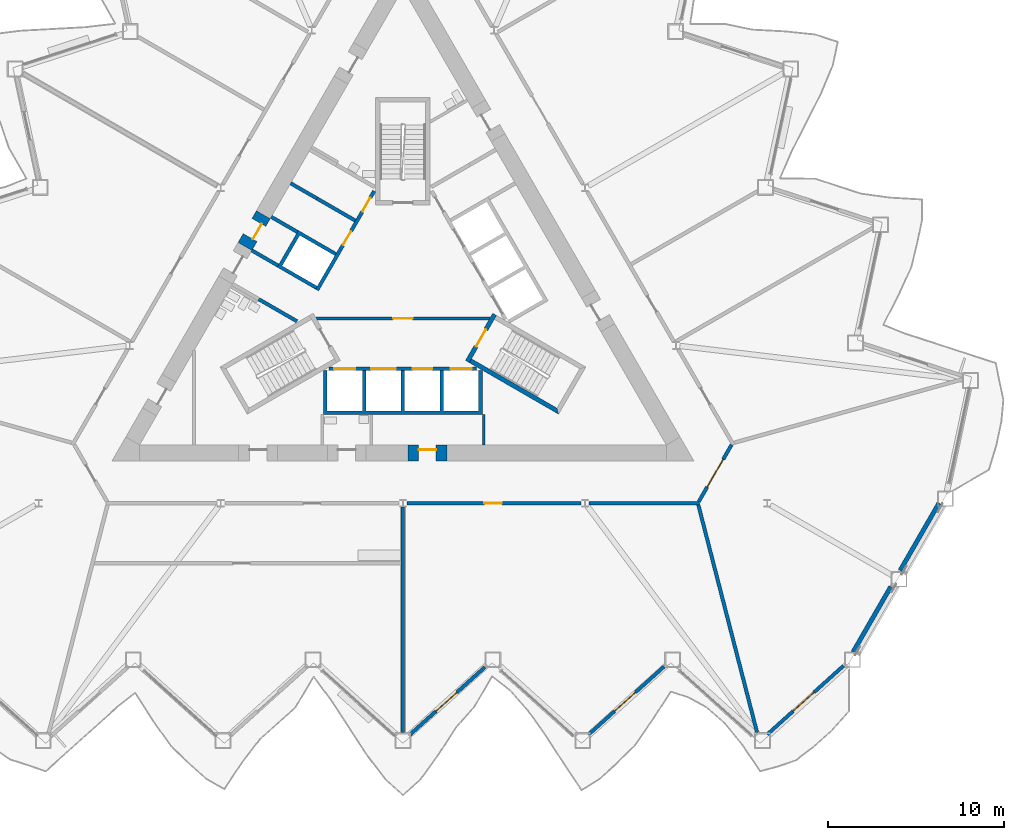
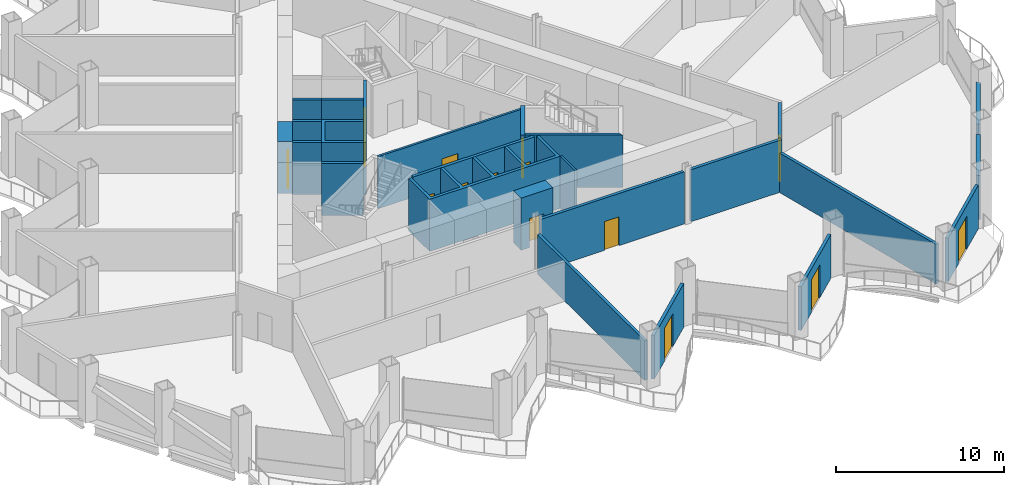
# One storey, part 11 of 21: 25 walls, 15 doors, 15 openings.
"""IFC4 building model written with IfcOpenShell, lengths in metres."""

from ifc_helpers import new_model, si_unit, direction, frame, frame_2d, origin, place, context, subcontext, project, spatial, polyline, rectangle, outline, extrude, material, layer, layer_set, type_object, element, fill, save


model = new_model("IFC4")

# Units and contexts
model_context = context("Model", 3, precision=1e-05, world=origin(), true_north=direction((0.0, 1.0)))
body_context = subcontext(model_context, "Body", "Model", "MODEL_VIEW")
ifc_project = project(units=[si_unit("LENGTHUNIT", "METRE"), si_unit("AREAUNIT", "SQUARE_METRE"), si_unit("VOLUMEUNIT", "CUBIC_METRE"), si_unit("PLANEANGLEUNIT", "RADIAN"), si_unit("MASSUNIT", "GRAM", prefix="KILO")], contexts=[model_context])

# Site, building, storey
site_placement = place(None, origin())
site = spatial("IfcSite", under=ifc_project, at=site_placement, CompositionType="ELEMENT")
building_placement = place(site_placement, origin())
building = spatial("IfcBuilding", under=site, at=building_placement, Name="Cormorant Prow Tower", CompositionType="ELEMENT")
storey_placement = place(building_placement, frame((0.0, 0.0, 137.39990234375)))
storey = spatial("IfcBuildingStorey", under=building, at=storey_placement, Name="L29", CompositionType="ELEMENT", Elevation=137.39990234375)

# Wall, opening, door
ifc_material_1 = material(Name="Gypsum board partition")
ifc_layer_1 = layer(ifc_material_1, 0.14990234375)
ifc_layer_set_1 = layer_set([ifc_layer_1], Name="Gypsum board partition")
wall_type_1 = type_object("IfcWallType", Name="Core partition 150", PredefinedType="PARTITIONING", material=ifc_layer_set_1)
wall_1_placement = place(storey_placement, frame((-4.941162109375, -1.449951171875, 0.0), z_axis=(0.0, 0.0, 1.0), x_axis=(1.0, 0.0, 0.0)))
wall_1 = element("IfcWall", 1, at=wall_1_placement, inside=storey, type_object=wall_type_1, Name="Firefighting lobby partition", PredefinedType="PARTITIONING", context=body_context, shape_type="SweptSolid", body=[
    extrude(rectangle(XDim=9.88232421875, YDim=0.14990234375, at=frame_2d((4.941162109375, 0.0))), origin(), (0.0, 0.0, 1.0), 3.800048828125),
])
opening_1_placement = place(wall_1_placement, frame((4.39111328125, 0.0, 0.0)))
opening_1 = element("IfcOpeningElement", 2, at=opening_1_placement, cuts=wall_1, Name="Opening L29-C11", PredefinedType="OPENING", context=body_context, shape_type="SweptSolid", body=[
    extrude(rectangle(XDim=1.10009765625, YDim=2.10009765625, at=frame_2d((0.550048828125, 1.050048828125))), frame((0.0, 0.0849609375, 0.0), z_axis=(0.0, -1.0, 0.0), x_axis=(1.0, 0.0, 0.0)), (0.0, 0.0, 1.0), 0.169921875),
])
ifc_material_2 = material(Name="Painted steel", Category="steel")
door_type_1 = type_object("IfcDoorType", Name="Firefighting lobby door 1100x2100", OperationType="NOTDEFINED", PredefinedType="DOOR", material=ifc_material_2)
door_1_placement = place(opening_1_placement, origin())
door_1 = element("IfcDoor", 3, at=door_1_placement, inside=storey, type_object=door_type_1, Name="Firefighting lobby door", OperationType="SINGLE_SWING_LEFT", OverallHeight=2.10009765625, OverallWidth=1.10009765625, PredefinedType="DOOR", context=body_context, shape_type="SweptSolid", body=[
    extrude(rectangle(XDim=1.10009765625, YDim=2.10009765625, at=frame_2d((0.550048828125, 1.050048828125))), frame((0.0, 0.02490234375, 0.0), z_axis=(0.0, -1.0, 0.0), x_axis=(1.0, 0.0, 0.0)), (0.0, 0.0, 1.0), 0.050048828125),
])
fill(opening_1, door_1)

# Wall
wall_2_placement = place(storey_placement, frame((4.574951171875, -6.906005859375, 0.0), z_axis=(0.0, 0.0, 1.0), x_axis=(0.0, -1.0, 0.0)))
element("IfcWall", 4, at=wall_2_placement, inside=storey, type_object=wall_type_1, Name="Service room partition", PredefinedType="PARTITIONING", context=body_context, shape_type="SweptSolid", body=[
    extrude(rectangle(XDim=1.72021484375, YDim=0.14990234375, at=frame_2d((0.860107421875, 0.0))), origin(), (0.0, 0.0, 1.0), 3.800048828125),
])

# Wall, opening, door
ifc_material_3 = material(Name="Concrete 8000 psi", Category="concrete")
ifc_layer_2 = layer(ifc_material_3, 0.89990234375)
ifc_layer_set_2 = layer_set([ifc_layer_2], Name="Concrete 8000 psi")
wall_type_2 = type_object("IfcWallType", Name="Core shear wall 900", PredefinedType="SHEAR", material=ifc_layer_set_2)
wall_3_placement = place(storey_placement, frame((0.28759765625, -9.076416015625, 0.0), z_axis=(0.0, 0.0, 1.0), x_axis=(1.0, 0.0, 0.0)))
wall_3 = element("IfcWall", 5, at=wall_3_placement, inside=storey, type_object=wall_type_2, Name="Core wall door panel", PredefinedType="SHEAR", context=body_context, shape_type="SweptSolid", body=[
    extrude(rectangle(XDim=2.199951171875, YDim=0.89990234375, at=frame_2d((1.10009765625, 0.0))), origin(), (0.0, 0.0, 1.0), 3.800048828125),
])
opening_2_placement = place(wall_3_placement, frame((0.60009765625, 0.0, 0.0)))
opening_2 = element("IfcOpeningElement", 6, at=opening_2_placement, cuts=wall_3, Name="Opening L29-C16", PredefinedType="OPENING", context=body_context, shape_type="SweptSolid", body=[
    extrude(rectangle(XDim=1.0, YDim=2.10009765625, at=frame_2d((0.5, 1.050048828125))), frame((0.0, 0.4599609375, 0.0), z_axis=(0.0, -1.0, 0.0), x_axis=(1.0, 0.0, 0.0)), (0.0, 0.0, 1.0), 0.919921875),
])
ifc_material_4 = material(Name="Painted steel", Category="steel")
door_type_2 = type_object("IfcDoorType", Name="Service door 1000x2100", OperationType="NOTDEFINED", PredefinedType="DOOR", material=ifc_material_4)
door_2_placement = place(opening_2_placement, origin())
door_2 = element("IfcDoor", 7, at=door_2_placement, inside=storey, type_object=door_type_2, Name="Core door, Pantry store", OperationType="SINGLE_SWING_RIGHT", OverallHeight=2.10009765625, OverallWidth=1.0, PredefinedType="DOOR", context=body_context, shape_type="SweptSolid", body=[
    extrude(rectangle(XDim=1.0, YDim=2.10009765625, at=frame_2d((0.5, 1.050048828125))), frame((0.0, 0.205078125, 0.0), z_axis=(0.0, -1.0, 0.0), x_axis=(1.0, 0.0, 0.0)), (0.0, 0.0, 1.0), 0.050048828125),
])
fill(opening_2, door_2)

wall_4_placement = place(storey_placement, frame((-7.92041015625, 4.43408203125, 0.0), z_axis=(0.0, 0.0, 1.0), x_axis=(-0.499939227269, -0.866060488094, 0.0)))
wall_4 = element("IfcWall", 8, at=wall_4_placement, inside=storey, type_object=wall_type_2, Name="Core wall door panel", PredefinedType="SHEAR", context=body_context, shape_type="SweptSolid", body=[
    extrude(rectangle(XDim=2.079833984375, YDim=0.89990234375, at=frame_2d((1.0400390625, 0.0))), origin(), (0.0, 0.0, 1.0), 3.800048828125),
])
opening_3_placement = place(wall_4_placement, frame((0.5, 0.0, 0.0)))
opening_3 = element("IfcOpeningElement", 9, at=opening_3_placement, cuts=wall_4, Name="Opening L29-C20", PredefinedType="OPENING", context=body_context, shape_type="SweptSolid", body=[
    extrude(rectangle(XDim=1.0, YDim=2.10009765625, at=frame_2d((0.5, 1.050048828125))), frame((0.0, 0.4599609375, 0.0), z_axis=(0.0, -1.0, 0.0), x_axis=(1.0, 0.0, 0.0)), (0.0, 0.0, 1.0), 0.919921875),
])
door_3_placement = place(opening_3_placement, origin())
door_3 = element("IfcDoor", 10, at=door_3_placement, inside=storey, type_object=door_type_2, Name="Core door, Pantry store", OperationType="SINGLE_SWING_RIGHT", OverallHeight=2.10009765625, OverallWidth=1.0, PredefinedType="DOOR", context=body_context, shape_type="SweptSolid", body=[
    extrude(rectangle(XDim=1.0, YDim=2.10009765625, at=frame_2d((0.5, 1.050048828125))), frame((0.0, 0.205078125, 0.0), z_axis=(0.0, -1.0, 0.0), x_axis=(1.0, 0.0, 0.0)), (0.0, 0.0, 1.0), 0.050048828125),
])
fill(opening_3, door_3)

ifc_material_5 = material(Name="Gypsum board corridor wall")
ifc_layer_3 = layer(ifc_material_5, 0.199951171875)
ifc_layer_set_3 = layer_set([ifc_layer_3], Name="Gypsum board corridor wall")
wall_type_3 = type_object("IfcWallType", Name="Corridor wall 200", PredefinedType="PARTITIONING", material=ifc_layer_set_3)
wall_5_placement = place(storey_placement, frame((0.227294921875, -11.92626953125, 0.0), z_axis=(0.0, 0.0, 1.0), x_axis=(1.0, 0.0, 0.0)))
wall_5 = element("IfcWall", 11, at=wall_5_placement, inside=storey, type_object=wall_type_3, Name="Corridor wall", PredefinedType="PARTITIONING", context=body_context, shape_type="SweptSolid", body=[
    extrude(rectangle(XDim=9.873779296875, YDim=0.199951171875, at=frame_2d((4.93701171875, 0.0))), origin(), (0.0, 0.0, 1.0), 3.800048828125),
])
opening_4_placement = place(wall_5_placement, frame((4.386474609375, 0.0, 0.0)))
opening_4 = element("IfcOpeningElement", 12, at=opening_4_placement, cuts=wall_5, Name="Opening L29-F03", PredefinedType="OPENING", context=body_context, shape_type="SweptSolid", body=[
    extrude(rectangle(XDim=1.0, YDim=2.10009765625, at=frame_2d((0.5, 1.050048828125))), frame((0.0, 0.10986328125, 0.0), z_axis=(0.0, -1.0, 0.0), x_axis=(1.0, 0.0, 0.0)), (0.0, 0.0, 1.0), 0.219970703125),
])
ifc_material_6 = material(Name="Timber door leaf", Category="wood")
door_type_3 = type_object("IfcDoorType", Name="Office door 1000x2100", OperationType="NOTDEFINED", PredefinedType="DOOR", material=ifc_material_6)
door_4_placement = place(opening_4_placement, origin())
door_4 = element("IfcDoor", 13, at=door_4_placement, inside=storey, type_object=door_type_3, Name="Tenant suite door", OperationType="SINGLE_SWING_RIGHT", OverallHeight=2.10009765625, OverallWidth=1.0, PredefinedType="DOOR", context=body_context, shape_type="SweptSolid", body=[
    extrude(rectangle(XDim=1.0, YDim=2.10009765625, at=frame_2d((0.5, 1.050048828125))), frame((0.0, 0.02490234375, 0.0), z_axis=(0.0, -1.0, 0.0), x_axis=(1.0, 0.0, 0.0)), (0.0, 0.0, 1.0), 0.050048828125),
])
fill(opening_4, door_4)

# Wall
wall_6_placement = place(storey_placement, frame((10.555908203125, -11.92626953125, 0.0), z_axis=(0.0, 0.0, 1.0), x_axis=(1.0, 0.0, 0.0)))
element("IfcWall", 14, at=wall_6_placement, inside=storey, type_object=wall_type_3, Name="Corridor wall", PredefinedType="PARTITIONING", context=body_context, shape_type="SweptSolid", body=[
    extrude(rectangle(XDim=6.27490234375, YDim=0.199951171875, at=frame_2d((3.137451171875, 0.0))), origin(), (0.0, 0.0, 1.0), 3.800048828125),
])

# Wall, opening, door
wall_7_placement = place(storey_placement, frame((16.781005859375, -11.839599609375, 0.0), z_axis=(0.0, 0.0, 1.0), x_axis=(0.499958791762, 0.866049194065, 0.0)))
wall_7 = element("IfcWall", 15, at=wall_7_placement, inside=storey, type_object=wall_type_3, Name="Corridor wall", PredefinedType="PARTITIONING", context=body_context, shape_type="SweptSolid", body=[
    extrude(rectangle(XDim=3.725830078125, YDim=0.199951171875, at=frame_2d((1.86279296875, 0.0))), origin(), (0.0, 0.0, 1.0), 3.800048828125),
])
opening_5_placement = place(wall_7_placement, frame((0.962890625, 0.0, 0.0)))
opening_5 = element("IfcOpeningElement", 16, at=opening_5_placement, cuts=wall_7, Name="Opening L29-F04", PredefinedType="OPENING", context=body_context, shape_type="SweptSolid", body=[
    extrude(rectangle(XDim=1.800048828125, YDim=2.10009765625, at=frame_2d((0.89990234375, 1.050048828125))), frame((0.0, 0.10986328125, 0.0), z_axis=(0.0, -1.0, 0.0), x_axis=(1.0, 0.0, 0.0)), (0.0, 0.0, 1.0), 0.219970703125),
])
ifc_material_7 = material(Name="Timber door leaf", Category="wood")
door_type_4 = type_object("IfcDoorType", Name="Double door 1800x2100", OperationType="DOUBLE_DOOR_SINGLE_SWING", PredefinedType="DOOR", material=ifc_material_7)
door_5_placement = place(opening_5_placement, origin())
door_5 = element("IfcDoor", 17, at=door_5_placement, inside=storey, type_object=door_type_4, Name="Trading room door", OperationType="DOUBLE_DOOR_SINGLE_SWING", OverallHeight=2.10009765625, OverallWidth=1.800048828125, PredefinedType="DOOR", context=body_context, shape_type="SweptSolid", body=[
    extrude(rectangle(XDim=1.800048828125, YDim=2.10009765625, at=frame_2d((0.89990234375, 1.050048828125))), frame((0.0, 0.02490234375, 0.0), z_axis=(0.0, -1.0, 0.0), x_axis=(1.0, 0.0, 0.0)), (0.0, 0.0, 1.0), 0.050048828125),
])
fill(opening_5, door_5)

# Walls
ifc_material_8 = material(Name="Gypsum board demising wall")
ifc_layer_4 = layer(ifc_material_8, 0.199951171875)
ifc_layer_set_4 = layer_set([ifc_layer_4], Name="Gypsum board demising wall")
wall_type_4 = type_object("IfcWallType", Name="Demising wall 200", PredefinedType="PARTITIONING", material=ifc_layer_set_4)
wall_8_placement = place(storey_placement, frame((16.755859375, -12.023193359375, 0.0), z_axis=(0.0, 0.0, 1.0), x_axis=(0.249815467428, -0.968293463901, 0.0)))
element("IfcWall", 18, at=wall_8_placement, inside=storey, type_object=wall_type_4, Name="Demising wall", PredefinedType="PARTITIONING", context=body_context, shape_type="SweptSolid", body=[
    extrude(rectangle(XDim=13.3388671875, YDim=0.199951171875, at=frame_2d((6.66943359375, 0.0))), origin(), (0.0, 0.0, 1.0), 2.885498046875),
])
wall_9_placement = place(storey_placement, frame((0.0, -24.939208984375, 0.0), z_axis=(0.0, 0.0, 1.0), x_axis=(0.0, 1.0, 0.0)))
element("IfcWall", 19, at=wall_9_placement, inside=storey, type_object=wall_type_4, Name="Demising wall", PredefinedType="PARTITIONING", context=body_context, shape_type="SweptSolid", body=[
    extrude(rectangle(XDim=12.785400390625, YDim=0.199951171875, at=frame_2d((6.392578125, 0.0))), origin(), (0.0, 0.0, 1.0), 2.885498046875),
])

# Wall, openings, doors
ifc_material_9 = material(Name="Concrete 5000 psi", Category="concrete")
ifc_layer_5 = layer(ifc_material_9, 0.199951171875)
ifc_layer_set_5 = layer_set([ifc_layer_5], Name="Concrete 5000 psi")
wall_type_5 = type_object("IfcWallType", Name="Lift lobby wall 200", PredefinedType="SOLIDWALL", material=ifc_layer_set_5)
wall_10_placement = place(storey_placement, frame((-4.1865234375, -4.300048828125, 0.0), z_axis=(0.0, 0.0, 1.0), x_axis=(1.0, 0.0, 0.0)))
wall_10 = element("IfcWall", 20, at=wall_10_placement, inside=storey, type_object=wall_type_5, Name="Lift lobby wall, S block", PredefinedType="SOLIDWALL", context=body_context, shape_type="SweptSolid", body=[
    extrude(rectangle(XDim=8.373046875, YDim=0.199951171875, at=frame_2d((4.1865234375, 0.0))), origin(), (0.0, 0.0, 1.0), 3.800048828125),
])
opening_6_placement = place(wall_10_placement, frame((0.28662109375, 0.0, 0.0)))
opening_6 = element("IfcOpeningElement", 21, at=opening_6_placement, cuts=wall_10, Name="Opening L29-C01", PredefinedType="OPENING", context=body_context, shape_type="SweptSolid", body=[
    extrude(rectangle(XDim=1.199951171875, YDim=2.10009765625, at=frame_2d((0.60009765625, 1.050048828125))), frame((0.0, 0.10986328125, 0.0), z_axis=(0.0, -1.0, 0.0), x_axis=(1.0, 0.0, 0.0)), (0.0, 0.0, 1.0), 0.219970703125),
])
opening_7_placement = place(wall_10_placement, frame((2.38671875, 0.0, 0.0)))
opening_7 = element("IfcOpeningElement", 22, at=opening_7_placement, cuts=wall_10, Name="Opening L29-C02", PredefinedType="OPENING", context=body_context, shape_type="SweptSolid", body=[
    extrude(rectangle(XDim=1.39990234375, YDim=2.10009765625, at=frame_2d((0.699951171875, 1.050048828125))), frame((0.0, 0.10986328125, 0.0), z_axis=(0.0, -1.0, 0.0), x_axis=(1.0, 0.0, 0.0)), (0.0, 0.0, 1.0), 0.219970703125),
])
opening_8_placement = place(wall_10_placement, frame((4.736572265625, 0.0, 0.0)))
opening_8 = element("IfcOpeningElement", 23, at=opening_8_placement, cuts=wall_10, Name="Opening L29-C03", PredefinedType="OPENING", context=body_context, shape_type="SweptSolid", body=[
    extrude(rectangle(XDim=1.10009765625, YDim=2.10009765625, at=frame_2d((0.550048828125, 1.050048828125))), frame((0.0, 0.10986328125, 0.0), z_axis=(0.0, -1.0, 0.0), x_axis=(1.0, 0.0, 0.0)), (0.0, 0.0, 1.0), 0.219970703125),
])
opening_9_placement = place(wall_10_placement, frame((6.88671875, 0.0, 0.0)))
opening_9 = element("IfcOpeningElement", 24, at=opening_9_placement, cuts=wall_10, Name="Opening L29-C04", PredefinedType="OPENING", context=body_context, shape_type="SweptSolid", body=[
    extrude(rectangle(XDim=1.199951171875, YDim=2.10009765625, at=frame_2d((0.60009765625, 1.050048828125))), frame((0.0, 0.10986328125, 0.0), z_axis=(0.0, -1.0, 0.0), x_axis=(1.0, 0.0, 0.0)), (0.0, 0.0, 1.0), 0.219970703125),
])
ifc_material_10 = material(Name="Painted steel", Category="steel")
door_type_5 = type_object("IfcDoorType", Name="Firefighting lift landing door 1200x2100", OperationType="SLIDING_TO_LEFT", PredefinedType="DOOR", material=ifc_material_10)
door_6_placement = place(opening_6_placement, origin())
door_6 = element("IfcDoor", 25, at=door_6_placement, inside=storey, type_object=door_type_5, Name="Landing door FL1", OperationType="SLIDING_TO_LEFT", OverallHeight=2.10009765625, OverallWidth=1.199951171875, PredefinedType="DOOR", context=body_context, shape_type="SweptSolid", body=[
    extrude(rectangle(XDim=1.199951171875, YDim=2.10009765625, at=frame_2d((0.60009765625, 1.050048828125))), frame((0.0, 0.02490234375, 0.0), z_axis=(0.0, -1.0, 0.0), x_axis=(1.0, 0.0, 0.0)), (0.0, 0.0, 1.0), 0.050048828125),
])
fill(opening_6, door_6)
door_7_placement = place(opening_9_placement, origin())
door_7 = element("IfcDoor", 26, at=door_7_placement, inside=storey, type_object=door_type_5, Name="Landing door FL2", OperationType="SLIDING_TO_LEFT", OverallHeight=2.10009765625, OverallWidth=1.199951171875, PredefinedType="DOOR", context=body_context, shape_type="SweptSolid", body=[
    extrude(rectangle(XDim=1.199951171875, YDim=2.10009765625, at=frame_2d((0.60009765625, 1.050048828125))), frame((0.0, 0.02490234375, 0.0), z_axis=(0.0, -1.0, 0.0), x_axis=(1.0, 0.0, 0.0)), (0.0, 0.0, 1.0), 0.050048828125),
])
fill(opening_9, door_7)
ifc_material_11 = material(Name="Painted steel", Category="steel")
door_type_6 = type_object("IfcDoorType", Name="Lift landing door 1100x2100", OperationType="SLIDING_TO_LEFT", PredefinedType="DOOR", material=ifc_material_11)
door_8_placement = place(opening_8_placement, origin())
door_8 = element("IfcDoor", 27, at=door_8_placement, inside=storey, type_object=door_type_6, Name="Landing door LR1", OperationType="SLIDING_TO_LEFT", OverallHeight=2.10009765625, OverallWidth=1.10009765625, PredefinedType="DOOR", context=body_context, shape_type="SweptSolid", body=[
    extrude(rectangle(XDim=1.10009765625, YDim=2.10009765625, at=frame_2d((0.550048828125, 1.050048828125))), frame((0.0, 0.02490234375, 0.0), z_axis=(0.0, -1.0, 0.0), x_axis=(1.0, 0.0, 0.0)), (0.0, 0.0, 1.0), 0.050048828125),
])
fill(opening_8, door_8)
ifc_material_12 = material(Name="Painted steel", Category="steel")
door_type_7 = type_object("IfcDoorType", Name="Service lift landing door 1400x2100", OperationType="SLIDING_TO_LEFT", PredefinedType="DOOR", material=ifc_material_12)
door_9_placement = place(opening_7_placement, origin())
door_9 = element("IfcDoor", 28, at=door_9_placement, inside=storey, type_object=door_type_7, Name="Landing door SL1", OperationType="SLIDING_TO_LEFT", OverallHeight=2.10009765625, OverallWidth=1.39990234375, PredefinedType="DOOR", context=body_context, shape_type="SweptSolid", body=[
    extrude(rectangle(XDim=1.39990234375, YDim=2.10009765625, at=frame_2d((0.699951171875, 1.050048828125))), frame((0.0, 0.02490234375, 0.0), z_axis=(0.0, -1.0, 0.0), x_axis=(1.0, 0.0, 0.0)), (0.0, 0.0, 1.0), 0.050048828125),
])
fill(opening_7, door_9)

wall_11_placement = place(storey_placement, frame((-1.630615234375, 5.775634765625, 0.0), z_axis=(0.0, 0.0, 1.0), x_axis=(-0.499992876559, -0.866029516466, 0.0)))
wall_11 = element("IfcWall", 29, at=wall_11_placement, inside=storey, type_object=wall_type_5, Name="Lift lobby wall, WNW block", PredefinedType="SOLIDWALL", context=body_context, shape_type="SweptSolid", body=[
    extrude(rectangle(XDim=6.486328125, YDim=0.199951171875, at=frame_2d((3.2431640625, 0.0))), origin(), (0.0, 0.0, 1.0), 3.800048828125),
])
opening_10_placement = place(wall_11_placement, frame((0.4365234375, 0.0, 0.0)))
opening_10 = element("IfcOpeningElement", 30, at=opening_10_placement, cuts=wall_11, Name="Opening L29-C09", PredefinedType="OPENING", context=body_context, shape_type="SweptSolid", body=[
    extrude(rectangle(XDim=0.89990234375, YDim=2.10009765625, at=frame_2d((0.449951171875, 1.050048828125))), frame((0.0, 0.10986328125, 0.0), z_axis=(0.0, -1.0, 0.0), x_axis=(1.0, 0.0, 0.0)), (0.0, 0.0, 1.0), 0.219970703125),
])
opening_11_placement = place(wall_11_placement, frame((2.63671875, 0.0, 0.0)))
opening_11 = element("IfcOpeningElement", 31, at=opening_11_placement, cuts=wall_11, Name="Opening L29-C10", PredefinedType="OPENING", context=body_context, shape_type="SweptSolid", body=[
    extrude(rectangle(XDim=0.89990234375, YDim=2.10009765625, at=frame_2d((0.449951171875, 1.050048828125))), frame((0.0, 0.10986328125, 0.0), z_axis=(0.0, -1.0, 0.0), x_axis=(1.0, 0.0, 0.0)), (0.0, 0.0, 1.0), 0.219970703125),
])
ifc_material_13 = material(Name="Painted steel", Category="steel")
door_type_8 = type_object("IfcDoorType", Name="Service door 900x2100", OperationType="NOTDEFINED", PredefinedType="DOOR", material=ifc_material_13)
door_10_placement = place(opening_10_placement, origin())
door_10 = element("IfcDoor", 32, at=door_10_placement, inside=storey, type_object=door_type_8, Name="Service door, Telecom room", OperationType="SINGLE_SWING_LEFT", OverallHeight=2.10009765625, OverallWidth=0.89990234375, PredefinedType="DOOR", context=body_context, shape_type="SweptSolid", body=[
    extrude(rectangle(XDim=0.89990234375, YDim=2.10009765625, at=frame_2d((0.449951171875, 1.050048828125))), frame((0.0, 0.02490234375, 0.0), z_axis=(0.0, -1.0, 0.0), x_axis=(1.0, 0.0, 0.0)), (0.0, 0.0, 1.0), 0.050048828125),
])
fill(opening_10, door_10)
door_11_placement = place(opening_11_placement, origin())
door_11 = element("IfcDoor", 33, at=door_11_placement, inside=storey, type_object=door_type_8, Name="Service door, Housekeeping store", OperationType="SINGLE_SWING_LEFT", OverallHeight=2.10009765625, OverallWidth=0.89990234375, PredefinedType="DOOR", context=body_context, shape_type="SweptSolid", body=[
    extrude(rectangle(XDim=0.89990234375, YDim=2.10009765625, at=frame_2d((0.449951171875, 1.050048828125))), frame((0.0, 0.02490234375, 0.0), z_axis=(0.0, -1.0, 0.0), x_axis=(1.0, 0.0, 0.0)), (0.0, 0.0, 1.0), 0.050048828125),
])
fill(opening_11, door_11)

# Walls
ifc_material_14 = material(Name="Concrete 8000 psi", Category="concrete")
ifc_layer_6 = layer(ifc_material_14, 0.199951171875)
ifc_layer_set_6 = layer_set([ifc_layer_6], Name="Concrete 8000 psi")
wall_type_6 = type_object("IfcWallType", Name="Lift shaft wall 200", PredefinedType="SHEAR", material=ifc_layer_set_6)
wall_12_placement = place(storey_placement, origin())
element("IfcWall", 34, at=wall_12_placement, inside=storey, type_object=wall_type_6, Name="Lift shaft walls, S block", PredefinedType="SHEAR", context=body_context, shape_type="SweptSolid", body=[
    extrude(outline(polyline([(4.5, -4.39990234375), (4.5, -6.906005859375), (-4.5, -6.906005859375), (-4.5, -4.39990234375), (-4.300048828125, -4.39990234375), (-4.300048828125, -6.699951171875), (-2.300048828125, -6.699951171875), (-2.300048828125, -4.39990234375), (-2.10009765625, -4.39990234375), (-2.10009765625, -6.699951171875), (-0.10009765625, -6.699951171875), (-0.10009765625, -4.39990234375), (0.10009765625, -4.39990234375), (0.10009765625, -6.699951171875), (2.10009765625, -6.699951171875), (2.10009765625, -4.39990234375), (2.300048828125, -4.39990234375), (2.300048828125, -6.699951171875), (4.300048828125, -6.699951171875), (4.300048828125, -4.39990234375), (4.5, -4.39990234375)])), origin(), (0.0, 0.0, 1.0), 3.800048828125),
])
wall_13_placement = place(storey_placement, origin())
element("IfcWall", 35, at=wall_13_placement, inside=storey, type_object=wall_type_6, Name="Lift shaft walls, WNW block", PredefinedType="SHEAR", context=body_context, shape_type="SweptSolid", body=[
    extrude(outline(polyline([(-6.060546875, -1.697021484375), (-8.230712890625, -0.444091796875), (-8.130859375, -0.27099609375), (-5.96044921875, -1.52392578125), (-6.060546875, -1.697021484375)])), origin(), (0.0, 0.0, 1.0), 3.800048828125),
])
wall_14_placement = place(storey_placement, origin())
element("IfcWall", 36, at=wall_14_placement, inside=storey, type_object=wall_type_6, Name="Lift shaft walls, WNW block", PredefinedType="SHEAR", context=body_context, shape_type="SweptSolid", body=[
    extrude(outline(polyline([(-4.96044921875, 0.2080078125), (-7.130859375, 1.461181640625), (-5.930908203125, 3.53955078125), (-3.760498046875, 2.28662109375), (-3.860595703125, 2.11328125), (-5.852294921875, 3.263427734375), (-6.852294921875, 1.53125), (-4.860595703125, 0.38134765625), (-4.96044921875, 0.2080078125)])), origin(), (0.0, 0.0, 1.0), 3.800048828125),
])
wall_15_placement = place(storey_placement, origin())
element("IfcWall", 37, at=wall_15_placement, inside=storey, type_object=wall_type_6, Name="Lift shaft walls, WNW block", PredefinedType="SHEAR", context=body_context, shape_type="SweptSolid", body=[
    extrude(outline(polyline([(-2.760498046875, 4.018798828125), (-4.930908203125, 5.271728515625), (-4.830810546875, 5.44482421875), (-2.660400390625, 4.19189453125), (-2.760498046875, 4.018798828125)])), origin(), (0.0, 0.0, 1.0), 3.800048828125),
])
wall_16_placement = place(storey_placement, frame((-4.880859375, 5.3583984375, 0.0), z_axis=(0.0, 0.0, 1.0), x_axis=(-0.866024871741, 0.500000921525, 0.0)))
element("IfcWall", 38, at=wall_16_placement, inside=storey, type_object=wall_type_6, Name="Store side wall", PredefinedType="SHEAR", context=body_context, shape_type="SweptSolid", body=[
    extrude(rectangle(XDim=1.72021484375, YDim=0.199951171875, at=frame_2d((0.860107421875, 0.0))), origin(), (0.0, 0.0, 1.0), 3.800048828125),
])
wall_17_placement = place(storey_placement, frame((-5.980712890625, 3.452880859375, 0.0), z_axis=(0.0, 0.0, 1.0), x_axis=(-0.866060346521, 0.499939472521, 0.0)))
element("IfcWall", 39, at=wall_17_placement, inside=storey, type_object=wall_type_6, Name="Store side wall", PredefinedType="SHEAR", context=body_context, shape_type="SweptSolid", body=[
    extrude(rectangle(XDim=1.720458984375, YDim=0.199951171875, at=frame_2d((0.8603515625, 0.0))), origin(), (0.0, 0.0, 1.0), 3.800048828125),
])
wall_18_placement = place(storey_placement, frame((-7.080810546875, 1.547607421875, 0.0), z_axis=(0.0, 0.0, 1.0), x_axis=(-0.865963414263, 0.500107353632, 0.0)))
element("IfcWall", 40, at=wall_18_placement, inside=storey, type_object=wall_type_6, Name="Lobby passage wall", PredefinedType="SHEAR", context=body_context, shape_type="SweptSolid", body=[
    extrude(rectangle(XDim=1.72021484375, YDim=0.199951171875, at=frame_2d((0.860107421875, 0.0))), origin(), (0.0, 0.0, 1.0), 3.800048828125),
])
ifc_material_15 = material(Name="Concrete 8000 psi", Category="concrete")
ifc_layer_7 = layer(ifc_material_15, 0.25)
ifc_layer_set_7 = layer_set([ifc_layer_7], Name="Concrete 8000 psi")
wall_type_7 = type_object("IfcWallType", Name="Stair wall 250", PredefinedType="SHEAR", material=ifc_layer_set_7)
wall_19_placement = place(storey_placement, origin())
element("IfcWall", 41, at=wall_19_placement, inside=storey, type_object=wall_type_7, Name="Stair ST2 enclosure wall (flank)", PredefinedType="SHEAR", context=body_context, shape_type="SweptSolid", body=[
    extrude(outline(polyline([(3.76318359375, -3.95556640625), (8.82958984375, -6.880615234375), (8.738037109375, -6.5390625), (3.88818359375, -3.739013671875), (3.76318359375, -3.95556640625)])), origin(), (0.0, 0.0, 1.0), 3.800048828125),
])

# Wall, opening, door
wall_20_placement = place(storey_placement, frame((3.655029296875, -3.89306640625, 0.0), z_axis=(0.0, 0.0, 1.0), x_axis=(0.499982516597, 0.866035497597, 0.0)))
wall_20 = element("IfcWall", 42, at=wall_20_placement, inside=storey, type_object=wall_type_7, Name="Stair ST2 door wall", PredefinedType="SHEAR", context=body_context, shape_type="SweptSolid", body=[
    extrude(rectangle(XDim=3.087890625, YDim=0.25, at=frame_2d((1.5439453125, 0.0))), origin(), (0.0, 0.0, 1.0), 3.800048828125),
])
opening_12_placement = place(wall_20_placement, frame((0.993896484375, 0.0, 0.0)))
opening_12 = element("IfcOpeningElement", 43, at=opening_12_placement, cuts=wall_20, Name="Opening L29-C13", PredefinedType="OPENING", context=body_context, shape_type="SweptSolid", body=[
    extrude(rectangle(XDim=1.10009765625, YDim=2.10009765625, at=frame_2d((0.550048828125, 1.050048828125))), frame((0.0, 0.135009765625, 0.0), z_axis=(0.0, -1.0, 0.0), x_axis=(1.0, 0.0, 0.0)), (0.0, 0.0, 1.0), 0.27001953125),
])
ifc_material_16 = material(Name="Painted steel", Category="steel")
door_type_9 = type_object("IfcDoorType", Name="Stair door 1100x2100", OperationType="NOTDEFINED", PredefinedType="DOOR", material=ifc_material_16)
door_12_placement = place(opening_12_placement, origin())
door_12 = element("IfcDoor", 44, at=door_12_placement, inside=storey, type_object=door_type_9, Name="Stair ST2 door", OperationType="SINGLE_SWING_RIGHT", OverallHeight=2.10009765625, OverallWidth=1.10009765625, PredefinedType="DOOR", context=body_context, shape_type="SweptSolid", body=[
    extrude(rectangle(XDim=1.10009765625, YDim=2.10009765625, at=frame_2d((0.550048828125, 1.050048828125))), frame((0.0, 0.02490234375, 0.0), z_axis=(0.0, -1.0, 0.0), x_axis=(1.0, 0.0, 0.0)), (0.0, 0.0, 1.0), 0.050048828125),
])
fill(opening_12, door_12)

# Walls
ifc_material_17 = material(Name="Terracotta", Category="masonry")
ifc_layer_8 = layer(ifc_material_17, 0.25)
ifc_layer_set_8 = layer_set([ifc_layer_8], Name="Terracotta")
wall_type_8 = type_object("IfcWallType", Name="Terracotta bay wall 250", PredefinedType="SOLIDWALL", material=ifc_layer_set_8)
wall_21_placement = place(storey_placement, frame((25.5322265625, -20.374755859375, 0.0), z_axis=(0.0, 0.0, 1.0), x_axis=(0.500010506321, 0.866019337872, 0.0)))
element("IfcWall", 45, at=wall_21_placement, inside=storey, type_object=wall_type_8, Name="Terracotta bay wall ESE00", PredefinedType="SOLIDWALL", context=body_context, shape_type="SweptSolid", body=[
    extrude(rectangle(XDim=4.27978515625, YDim=0.25, at=frame_2d((2.139892578125, 0.0))), origin(), (0.0, 0.0, 1.0), 3.18896484375),
])
wall_22_placement = place(storey_placement, frame((28.206298828125, -15.743408203125, 0.0), z_axis=(0.0, 0.0, 1.0), x_axis=(0.499979643272, 0.866037156428, 0.0)))
element("IfcWall", 46, at=wall_22_placement, inside=storey, type_object=wall_type_8, Name="Terracotta bay wall ESE01", PredefinedType="SOLIDWALL", context=body_context, shape_type="SweptSolid", body=[
    extrude(rectangle(XDim=4.409912109375, YDim=0.25, at=frame_2d((2.205078125, 0.0))), origin(), (0.0, 0.0, 1.0), 3.18896484375),
])

# Wall, opening, door
ifc_material_18 = material(Name="Terracotta", Category="masonry")
ifc_layer_9 = layer(ifc_material_18, 0.199951171875)
ifc_layer_set_9 = layer_set([ifc_layer_9], Name="Terracotta")
wall_type_9 = type_object("IfcWallType", Name="Terracotta jamb wall 200", PredefinedType="SOLIDWALL", material=ifc_layer_set_9)
wall_23_placement = place(storey_placement, frame((0.40576171875, -25.04833984375, 0.0), z_axis=(0.0, 0.0, 1.0), x_axis=(0.743121921177, 0.669156043286, 0.0)))
wall_23 = element("IfcWall", 47, at=wall_23_placement, inside=storey, type_object=wall_type_9, Name="Terracotta jamb wall S05", PredefinedType="SOLIDWALL", context=body_context, shape_type="SweptSolid", body=[
    extrude(rectangle(XDim=5.710205078125, YDim=0.199951171875, at=frame_2d((2.85498046875, 0.0))), origin(), (0.0, 0.0, 1.0), 3.18896484375),
])
opening_13_placement = place(wall_23_placement, frame((1.971435546875, 0.0, 0.0)))
opening_13 = element("IfcOpeningElement", 48, at=opening_13_placement, cuts=wall_23, Name="Opening ED29.03", PredefinedType="OPENING", context=body_context, shape_type="SweptSolid", body=[
    extrude(rectangle(XDim=1.60009765625, YDim=2.39990234375, at=frame_2d((0.800048828125, 1.199951171875))), frame((0.0, 0.10986328125, 0.0), z_axis=(0.0, -1.0, 0.0), x_axis=(1.0, 0.0, 0.0)), (0.0, 0.0, 1.0), 0.219970703125),
])
ifc_material_19 = material(Name="Aluminium 6063-T6", Category="aluminium")
door_type_10 = type_object("IfcDoorType", Name="Balcony door 1600x2400", OperationType="DOUBLE_DOOR_SINGLE_SWING", PredefinedType="DOOR", material=ifc_material_19)
door_13_placement = place(opening_13_placement, origin())
door_13 = element("IfcDoor", 49, at=door_13_placement, inside=storey, type_object=door_type_10, Name="Balcony door S05 ED29.03", OperationType="DOUBLE_DOOR_SINGLE_SWING", OverallHeight=2.39990234375, OverallWidth=1.60009765625, PredefinedType="DOOR", context=body_context, shape_type="SweptSolid", body=[
    extrude(rectangle(XDim=1.60009765625, YDim=2.39990234375, at=frame_2d((0.800048828125, 1.199951171875))), frame((0.0, 0.02490234375, 0.0), z_axis=(0.0, -1.0, 0.0), x_axis=(1.0, 0.0, 0.0)), (0.0, 0.0, 1.0), 0.050048828125),
])
fill(opening_13, door_13)

wall_24_placement = place(storey_placement, frame((10.53466796875, -25.04833984375, 0.0), z_axis=(0.0, 0.0, 1.0), x_axis=(0.74315279225, 0.669121758256, 0.0)))
wall_24 = element("IfcWall", 50, at=wall_24_placement, inside=storey, type_object=wall_type_9, Name="Terracotta jamb wall S07", PredefinedType="SOLIDWALL", context=body_context, shape_type="SweptSolid", body=[
    extrude(rectangle(XDim=5.754638671875, YDim=0.199951171875, at=frame_2d((2.87744140625, 0.0))), origin(), (0.0, 0.0, 1.0), 3.18896484375),
])
opening_14_placement = place(wall_24_placement, frame((1.971435546875, 0.0, 0.0)))
opening_14 = element("IfcOpeningElement", 51, at=opening_14_placement, cuts=wall_24, Name="Opening ED29.04", PredefinedType="OPENING", context=body_context, shape_type="SweptSolid", body=[
    extrude(rectangle(XDim=1.60009765625, YDim=2.39990234375, at=frame_2d((0.800048828125, 1.199951171875))), frame((0.0, 0.10986328125, 0.0), z_axis=(0.0, -1.0, 0.0), x_axis=(1.0, 0.0, 0.0)), (0.0, 0.0, 1.0), 0.219970703125),
])
door_14_placement = place(opening_14_placement, origin())
door_14 = element("IfcDoor", 52, at=door_14_placement, inside=storey, type_object=door_type_10, Name="Balcony door S07 ED29.04", OperationType="DOUBLE_DOOR_SINGLE_SWING", OverallHeight=2.39990234375, OverallWidth=1.60009765625, PredefinedType="DOOR", context=body_context, shape_type="SweptSolid", body=[
    extrude(rectangle(XDim=1.60009765625, YDim=2.39990234375, at=frame_2d((0.800048828125, 1.199951171875))), frame((0.0, 0.02490234375, 0.0), z_axis=(0.0, -1.0, 0.0), x_axis=(1.0, 0.0, 0.0)), (0.0, 0.0, 1.0), 0.050048828125),
])
fill(opening_14, door_14)

wall_25_placement = place(storey_placement, frame((20.663818359375, -25.04833984375, 0.0), z_axis=(0.0, 0.0, 1.0), x_axis=(0.743137948431, 0.669138244014, 0.0)))
wall_25 = element("IfcWall", 53, at=wall_25_placement, inside=storey, type_object=wall_type_9, Name="Terracotta jamb wall S09", PredefinedType="SOLIDWALL", context=body_context, shape_type="SweptSolid", body=[
    extrude(rectangle(XDim=5.82958984375, YDim=0.199951171875, at=frame_2d((2.914794921875, 0.0))), origin(), (0.0, 0.0, 1.0), 3.18896484375),
])
opening_15_placement = place(wall_25_placement, frame((1.971435546875, 0.0, 0.0)))
opening_15 = element("IfcOpeningElement", 54, at=opening_15_placement, cuts=wall_25, Name="Opening ED29.05", PredefinedType="OPENING", context=body_context, shape_type="SweptSolid", body=[
    extrude(rectangle(XDim=1.60009765625, YDim=2.39990234375, at=frame_2d((0.800048828125, 1.199951171875))), frame((0.0, 0.10986328125, 0.0), z_axis=(0.0, -1.0, 0.0), x_axis=(1.0, 0.0, 0.0)), (0.0, 0.0, 1.0), 0.219970703125),
])
door_15_placement = place(opening_15_placement, origin())
door_15 = element("IfcDoor", 55, at=door_15_placement, inside=storey, type_object=door_type_10, Name="Balcony door S09 ED29.05", OperationType="DOUBLE_DOOR_SINGLE_SWING", OverallHeight=2.39990234375, OverallWidth=1.60009765625, PredefinedType="DOOR", context=body_context, shape_type="SweptSolid", body=[
    extrude(rectangle(XDim=1.60009765625, YDim=2.39990234375, at=frame_2d((0.800048828125, 1.199951171875))), frame((0.0, 0.02490234375, 0.0), z_axis=(0.0, -1.0, 0.0), x_axis=(1.0, 0.0, 0.0)), (0.0, 0.0, 1.0), 0.050048828125),
])
fill(opening_15, door_15)

save(model, "model.ifc")
